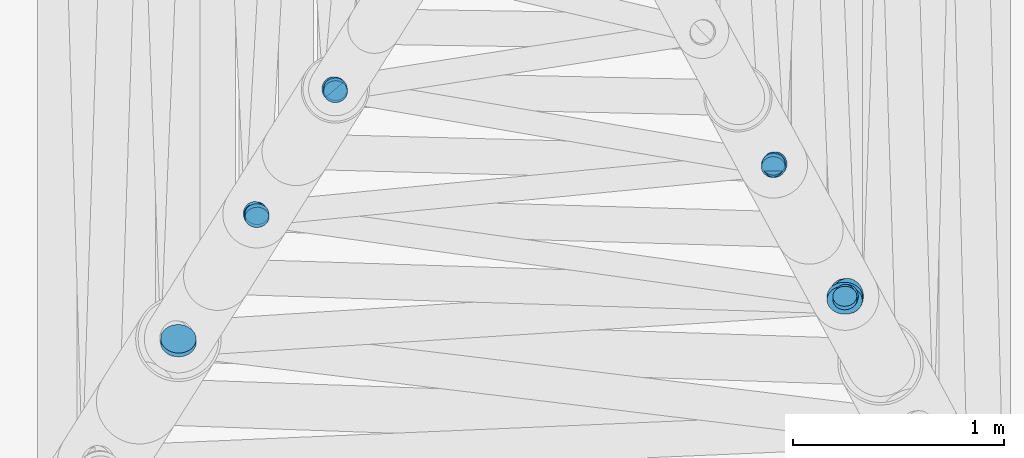
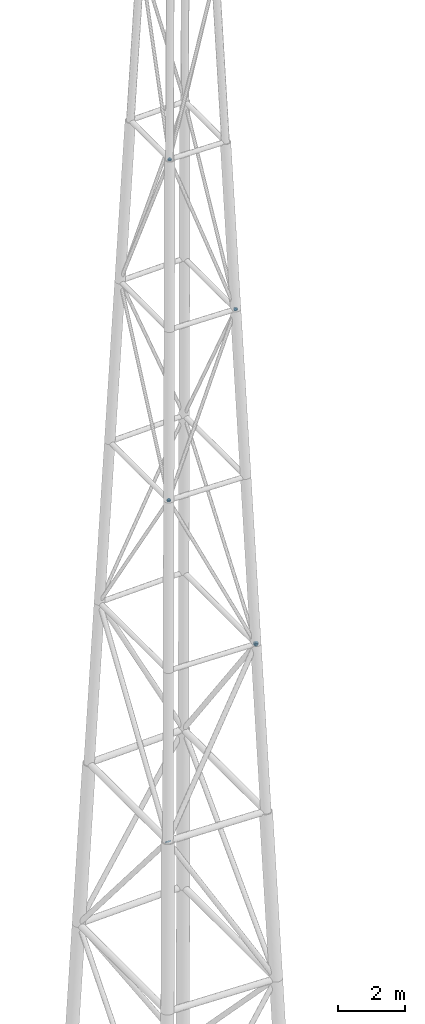
# One storey, part 4 of 10: 17 discrete accessories.
"""IFC4 building model written with IfcOpenShell, lengths in metres."""

from ifc_helpers import new_model, si_unit, direction, frame, origin, origin_2d, place, context, subcontext, project, spatial, circle, extrude, material, material_profile, profile_set, type_object, element, save


model = new_model("IFC4")

# Units and contexts
model_context = context("Model", 3, precision=1e-05, world=origin(), true_north=direction((0.0, 1.0)))
body_context = subcontext(model_context, "Body", "Model", "MODEL_VIEW")
ifc_project = project(units=[si_unit("LENGTHUNIT", "METRE"), si_unit("AREAUNIT", "SQUARE_METRE"), si_unit("VOLUMEUNIT", "CUBIC_METRE"), si_unit("PLANEANGLEUNIT", "RADIAN"), si_unit("MASSUNIT", "GRAM", prefix="KILO")], contexts=[model_context])

# Site, building, storey
site_placement = place(None, origin())
site = spatial("IfcSite", under=ifc_project, at=site_placement, CompositionType="ELEMENT")
building_placement = place(site_placement, origin())
building = spatial("IfcBuilding", under=site, at=building_placement, Name="Alderwake Tower", CompositionType="ELEMENT")
storey_placement = place(building_placement, frame((0.0, 0.0, 319.25)))
storey = spatial("IfcBuildingStorey", under=building, at=storey_placement, Name="Upper roof", CompositionType="ELEMENT", Elevation=319.25)

# Discrete accessories
ifc_material_1 = material(Name="Steel ASTM A572 Grade 50", Category="steel")
ifc_material_profile_1 = material_profile(ifc_material_1, circle(Radius=0.05712890625, at=origin_2d()), Name="HSS4.500X0.237 cap")
ifc_profile_set_1 = profile_set([ifc_material_profile_1], Name="Steel ASTM A572 Grade 50")
discrete_accessory_type_1 = type_object("IfcDiscreteAccessoryType", Name="End cap plate HSS4.500X0.237", PredefinedType="USERDEFINED", material=ifc_profile_set_1)
discrete_accessory_1_placement = place(storey_placement, frame((24.14404296875, 58.83837890625, 25.75), z_axis=(0.416816373702, -0.057210090508, -0.907188578057), x_axis=(0.13598002073, 0.990711579604, 0.0)))
element("IfcDiscreteAccessory", 1, at=discrete_accessory_1_placement, inside=storey, type_object=discrete_accessory_type_1, Name="End cap MD1.6 S", ObjectType="END CAP", PredefinedType="USERDEFINED", context=body_context, shape_type="SweptSolid", body=[
    extrude(circle(Radius=0.05712890625, at=origin_2d()), origin(), (0.0, 0.0, 1.0), 0.02978515625),
])
for number, where, z_axis, x_axis, name in (
    (2, (21.35400390625, 59.229248046875, 31.75), (-0.423324217593, 0.065126802707, 0.903634387553), (-0.152057184254, -0.988371697651, 0.0), "End cap MD1.6 N"),
    (3, (21.35400390625, 59.229248046875, 31.75), (0.0243484357, -0.53566558541, 0.844079104282), (0.99896854021, 0.045407660919, 0.0), "End cap MD3.6 N"),
    (4, (24.14404296875, 58.83837890625, 25.75), (0.024464742829, -0.554534170788, -0.831801256182), (0.999028234938, 0.044074775071, 0.0), "End cap MD4.6 S"),
    (5, (21.35400390625, 59.229248046875, 31.75), (-0.380957269218, -0.032421895253, -0.924024014698), (0.084799830401, -0.996398007206, 0.0), "End cap MD1.7 S"),
    (6, (23.8056640625, 59.466064453125, 37.75), (0.37399610028, 0.032521400024, 0.926859900695), (-0.086629616365, 0.996240588196, 0.0), "End cap MD1.7 N"),
    (7, (21.35400390625, 59.229248046875, 31.75), (-0.03261206723, -0.472874974834, -0.880525815208), (0.997630328423, -0.068802091615, 0.0), "End cap MD3.7 S"),
    (8, (23.8056640625, 59.466064453125, 37.75), (-0.02444767752, -0.488953550397, 0.871967164874), (0.998752338878, -0.049937616944, 0.0), "End cap MD4.7 N"),
    (9, (23.8056640625, 59.466064453125, 37.75), (0.325461503613, -0.056955763132, -0.943838360479), (0.172380331752, 0.985030467156, 0.0), "End cap MD1.8 S"),
    (10, (21.72607421875, 59.82177734375, 43.75), (-0.325461503613, 0.056955763132, 0.943838360479), (-0.172380331752, -0.985030467156, 0.0), "End cap MD1.8 N"),
    (11, (21.72607421875, 59.82177734375, 43.75), (0.032594738819, -0.407434235236, 0.912652686929), (0.996815278536, 0.079745222283, 0.0), "End cap MD3.8 N"),
    (12, (23.8056640625, 59.466064453125, 37.75), (0.024370116946, -0.414291988086, -0.909817699326), (0.998274373175, 0.058722021951, 0.0), "End cap MD4.8 S"),
    (13, (21.72607421875, 59.82177734375, 43.75), (-0.276541602665, -0.048801459294, -0.95976203278), (0.173785333909, -0.984783558818, 0.0), "End cap MD1.9 S"),
    (14, (21.72607421875, 59.82177734375, 43.75), (-0.032581760623, -0.325817606226, -0.944871058054), (0.99503719021, -0.099503719021, 0.0), "End cap MD3.9 S"),
):
    element("IfcDiscreteAccessory", number, at=place(storey_placement, frame(where, z_axis=z_axis, x_axis=x_axis)), inside=storey, type_object=discrete_accessory_type_1, Name=name, ObjectType="END CAP", PredefinedType="USERDEFINED", context=body_context, shape_type="SweptSolid", body=[
        extrude(circle(Radius=0.05712890625, at=origin_2d()), origin(), (0.0, 0.0, 1.0), 0.030029296875),
    ])
ifc_material_2 = material(Name="Steel ASTM A572 Grade 50", Category="steel")
ifc_material_profile_2 = material_profile(ifc_material_2, circle(Radius=0.084228515625, at=origin_2d()), Name="HSS6.625X0.280 cap")
ifc_profile_set_2 = profile_set([ifc_material_profile_2], Name="Steel ASTM A572 Grade 50")
discrete_accessory_type_2 = type_object("IfcDiscreteAccessoryType", Name="End cap plate HSS6.625X0.280", PredefinedType="USERDEFINED", material=ifc_profile_set_2)
for number, where, z_axis, x_axis, name in (
    (15, (24.14404296875, 58.83837890625, 25.75), (0.463154490854, 0.032502069534, 0.88568139479), (-0.070003281481, 0.9975467611, 0.0), "End cap MD1.5 N"),
    (16, (20.981689453125, 58.63671875, 19.75), (-0.024382187137, -0.593299887012, -0.804612175537), (0.999156632001, -0.041061231452, 0.0), "End cap MD3.5 S"),
):
    element("IfcDiscreteAccessory", number, at=place(storey_placement, frame(where, z_axis=z_axis, x_axis=x_axis)), inside=storey, type_object=discrete_accessory_type_2, Name=name, ObjectType="END CAP", PredefinedType="USERDEFINED", context=body_context, shape_type="SweptSolid", body=[
        extrude(circle(Radius=0.084228515625, at=origin_2d()), origin(), (0.0, 0.0, 1.0), 0.030029296875),
    ])
discrete_accessory_2_placement = place(storey_placement, frame((24.14404296875, 58.83837890625, 25.75), z_axis=(-0.024581907491, -0.606353718118, 0.794815008885), x_axis=(0.999179243854, -0.040507266643, 0.0)))
element("IfcDiscreteAccessory", 17, at=discrete_accessory_2_placement, inside=storey, type_object=discrete_accessory_type_2, Name="End cap MD4.5 N", ObjectType="END CAP", PredefinedType="USERDEFINED", context=body_context, shape_type="SweptSolid", body=[
    extrude(circle(Radius=0.084228515625, at=origin_2d()), origin(), (0.0, 0.0, 1.0), 0.02978515625),
])

save(model, "model.ifc")
